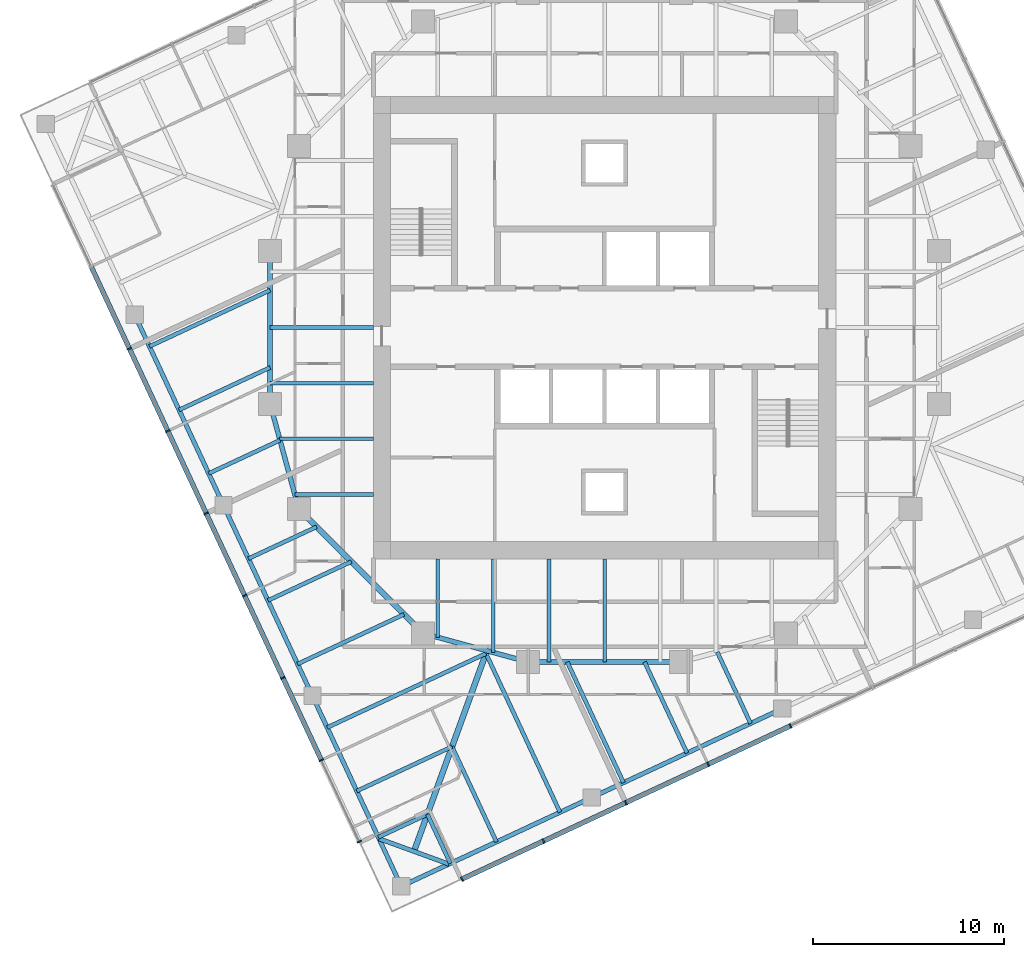
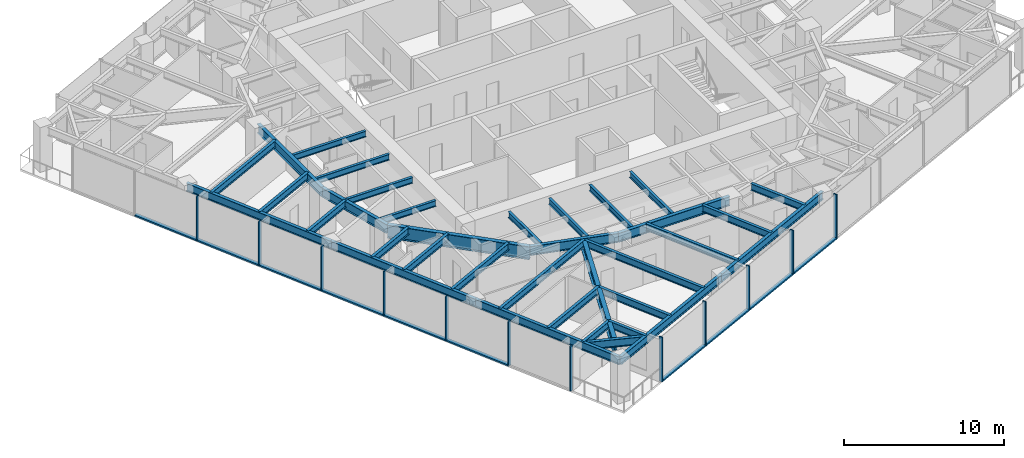
# One storey, part 2 of 12: 35 beams, 22 members, 2 elements without a shape of their own.
"""IFC4 building model written with IfcOpenShell, lengths in metres."""

from ifc_helpers import new_model, si_unit, direction, frame, origin, origin_2d, place, context, subcontext, project, spatial, rectangle, i_section, extrude, material, material_profile, profile_set, type_object, element, aggregate, save


model = new_model("IFC4")

# Units and contexts
model_context = context("Model", 3, precision=1e-05, world=origin(), true_north=direction((0.0, 1.0)))
body_context = subcontext(model_context, "Body", "Model", "MODEL_VIEW")
ifc_project = project(units=[si_unit("LENGTHUNIT", "METRE"), si_unit("AREAUNIT", "SQUARE_METRE"), si_unit("VOLUMEUNIT", "CUBIC_METRE"), si_unit("PLANEANGLEUNIT", "RADIAN"), si_unit("MASSUNIT", "GRAM", prefix="KILO")], contexts=[model_context])

# Site, building, storey
site_placement = place(None, origin())
site = spatial("IfcSite", under=ifc_project, at=site_placement, CompositionType="ELEMENT")
building_placement = place(site_placement, origin())
building = spatial("IfcBuilding", under=site, at=building_placement, Name="Torsade Residences", CompositionType="ELEMENT")
storey_placement = place(building_placement, frame((0.0, 0.0, 186.199951171875)))
storey = spatial("IfcBuildingStorey", under=building, at=storey_placement, Name="L51", CompositionType="ELEMENT", Elevation=186.199951171875)

# Beams
ifc_material_1 = material(Name="Steel grade 300", Category="steel")
ifc_material_profile_1 = material_profile(ifc_material_1, i_section(OverallWidth=0.300048828125, OverallDepth=0.89990234375, WebThickness=0.011962890625, FlangeThickness=0.02490234375, at=origin_2d()), Name="900WB175")
ifc_profile_set_1 = profile_set([ifc_material_profile_1], Name="Steel grade 300")
beam_type_1 = type_object("IfcBeamType", Name="CORNER GIRDER 900WB175", PredefinedType="BEAM", material=ifc_profile_set_1)
beam_1_placement = place(storey_placement, frame((30.02392578125, 2.5908203125, 2.800048828125), z_axis=(0.342015044723, 0.93969447651, 0.0), x_axis=(-0.93969447651, 0.342015044723, 0.0)))
element("IfcBeam", 1, at=beam_1_placement, inside=storey, type_object=beam_type_1, Name="Corner girder 01 L52", PredefinedType="BEAM", context=body_context, shape_type="SweptSolid", body=[
    extrude(i_section(OverallWidth=0.300048828125, OverallDepth=0.89990234375, WebThickness=0.011962890625, FlangeThickness=0.02490234375, at=origin_2d()), origin(), (0.0, 0.0, 1.0), 11.170654296875),
])
ifc_material_2 = material(Name="Steel grade 300", Category="steel")
ifc_material_profile_2 = material_profile(ifc_material_2, i_section(OverallWidth=0.22802734375, OverallDepth=0.60205078125, WebThickness=0.010498046875, FlangeThickness=0.014892578125, FilletRadius=0.013916015625, at=origin_2d()), Name="610UB101")
ifc_profile_set_2 = profile_set([ifc_material_profile_2], Name="Steel grade 300")
beam_type_2 = type_object("IfcBeamType", Name="CORNER TRIMMER 610UB101", PredefinedType="BEAM", material=ifc_profile_set_2)
beam_2_placement = place(storey_placement, frame((31.85107421875, 1.92578125, 2.948974609375), z_axis=(-0.939698076972, 0.342005152204, 0.0), x_axis=(-0.342005152204, -0.939698076972, 0.0)))
element("IfcBeam", 2, at=beam_2_placement, inside=storey, type_object=beam_type_2, Name="Corner trimmer 01 L52", PredefinedType="BEAM", context=body_context, shape_type="SweptSolid", body=[
    extrude(i_section(OverallWidth=0.22802734375, OverallDepth=0.60205078125, WebThickness=0.010498046875, FlangeThickness=0.014892578125, FilletRadius=0.013916015625, at=origin_2d()), origin(), (0.0, 0.0, 1.0), 3.88916015625),
])
ifc_material_3 = material(Name="Steel grade 300", Category="steel")
ifc_material_profile_3 = material_profile(ifc_material_3, i_section(OverallWidth=0.22900390625, OverallDepth=0.612060546875, WebThickness=0.011962890625, FlangeThickness=0.01953125, FilletRadius=0.013916015625, at=origin_2d()), Name="610UB125")
ifc_profile_set_3 = profile_set([ifc_material_profile_3], Name="Steel grade 300")
beam_type_3 = type_object("IfcBeamType", Name="EDGE BEAM 610UB125", PredefinedType="SPANDREL", material=ifc_profile_set_3)
beam_3_placement = place(storey_placement, frame((29.35888671875, 0.763671875, 2.944091796875), z_axis=(0.906309546032, 0.422614489543, 0.0), x_axis=(-0.422614489543, 0.906309546032, 0.0)))
element("IfcBeam", 3, at=beam_3_placement, inside=storey, type_object=beam_type_3, Name="Edge beam 01 L52", PredefinedType="SPANDREL", context=body_context, shape_type="SweptSolid", body=[
    extrude(i_section(OverallWidth=0.22900390625, OverallDepth=0.612060546875, WebThickness=0.011962890625, FlangeThickness=0.01953125, FilletRadius=0.013916015625, at=origin_2d()), origin(), (0.0, 0.0, 1.0), 10.999755859375),
])
for number, where, z_axis, x_axis, name in (
    (4, (39.328125, 5.412353515625, 2.944091796875), (0.906305009094, 0.422624219007, 0.0), (-0.422624219007, 0.906305009094, 0.0), "Edge beam 02 L52"),
    (5, (15.412353515625, 30.671875, 2.944091796875), (0.422624219007, -0.906305009094, 0.0), (0.906305009094, 0.422624219007, 0.0), "Edge beam 14 L52"),
):
    element("IfcBeam", number, at=place(storey_placement, frame(where, z_axis=z_axis, x_axis=x_axis)), inside=storey, type_object=beam_type_3, Name=name, PredefinedType="SPANDREL", context=body_context, shape_type="SweptSolid", body=[
        extrude(i_section(OverallWidth=0.22900390625, OverallDepth=0.612060546875, WebThickness=0.011962890625, FlangeThickness=0.01953125, FilletRadius=0.013916015625, at=origin_2d()), origin(), (0.0, 0.0, 1.0), 11.000244140625),
    ])
for number, where, z_axis, x_axis, name in (
    (6, (20.061279296875, 20.702392578125, 2.944091796875), (0.422605988587, -0.906313510001, 0.0), (0.906313510001, 0.422605988587, 0.0), "Edge beam 15 L52"),
    (7, (24.7099609375, 10.73291015625, 2.944091796875), (0.422632720171, -0.90630104482, 0.0), (0.90630104482, 0.422632720171, 0.0), "Edge beam 16 L52"),
):
    element("IfcBeam", number, at=place(storey_placement, frame(where, z_axis=z_axis, x_axis=x_axis)), inside=storey, type_object=beam_type_3, Name=name, PredefinedType="SPANDREL", context=body_context, shape_type="SweptSolid", body=[
        extrude(i_section(OverallWidth=0.22900390625, OverallDepth=0.612060546875, WebThickness=0.011962890625, FlangeThickness=0.01953125, FilletRadius=0.013916015625, at=origin_2d()), origin(), (0.0, 0.0, 1.0), 11.0),
    ])
ifc_material_4 = material(Name="Steel grade 300", Category="steel")
ifc_material_profile_4 = material_profile(ifc_material_4, i_section(OverallWidth=0.18994140625, OverallDepth=0.4541015625, WebThickness=0.008544921875, FlangeThickness=0.0126953125, FilletRadius=0.011474609375, at=origin_2d()), Name="460UB67.1")
ifc_profile_set_4 = profile_set([ifc_material_profile_4], Name="Steel grade 300")
beam_type_4 = type_object("IfcBeamType", Name="INNER FLOOR BEAM 460UB67.1", PredefinedType="JOIST", material=ifc_profile_set_4)
for number, where, z_axis, x_axis, name in (
    (8, (40.0, 17.89990234375, 3.02294921875), (0.0, -1.0, 0.0), (1.0, 0.0, 0.0), "Inner floor beam IS04 L52"),
    (9, (37.08740234375, 17.89990234375, 3.02294921875), (0.0, -1.0, 0.0), (1.0, 0.0, 0.0), "Inner floor beam IS05 L52"),
):
    element("IfcBeam", number, at=place(storey_placement, frame(where, z_axis=z_axis, x_axis=x_axis)), inside=storey, type_object=beam_type_4, Name=name, PredefinedType="JOIST", context=body_context, shape_type="SweptSolid", body=[
        extrude(i_section(OverallWidth=0.18994140625, OverallDepth=0.4541015625, WebThickness=0.008544921875, FlangeThickness=0.0126953125, FilletRadius=0.011474609375, at=origin_2d()), origin(), (0.0, 0.0, 1.0), 5.39990234375),
    ])
beam_4_placement = place(storey_placement, frame((34.175048828125, 17.89990234375, 3.02294921875), z_axis=(0.0, -1.0, 0.0), x_axis=(1.0, 0.0, 0.0)))
element("IfcBeam", 10, at=beam_4_placement, inside=storey, type_object=beam_type_4, Name="Inner floor beam IS06 L52", PredefinedType="JOIST", context=body_context, shape_type="SweptSolid", body=[
    extrude(i_section(OverallWidth=0.18994140625, OverallDepth=0.4541015625, WebThickness=0.008544921875, FlangeThickness=0.0126953125, FilletRadius=0.011474609375, at=origin_2d()), origin(), (0.0, 0.0, 1.0), 4.902099609375),
])
beam_5_placement = place(storey_placement, frame((31.262451171875, 17.89990234375, 3.02294921875), z_axis=(0.0, -1.0, 0.0), x_axis=(1.0, 0.0, 0.0)))
element("IfcBeam", 11, at=beam_5_placement, inside=storey, type_object=beam_type_4, Name="Inner floor beam IS07 L52", PredefinedType="JOIST", context=body_context, shape_type="SweptSolid", body=[
    extrude(i_section(OverallWidth=0.18994140625, OverallDepth=0.4541015625, WebThickness=0.008544921875, FlangeThickness=0.0126953125, FilletRadius=0.011474609375, at=origin_2d()), origin(), (0.0, 0.0, 1.0), 4.10791015625),
])
for number, where, z_axis, x_axis, name in (
    (12, (27.89990234375, 30.0, 3.02294921875), (-1.0, 0.0, 0.0), (0.0, -1.0, 0.0), "Inner floor beam IW04 L52"),
    (13, (27.89990234375, 27.08740234375, 3.02294921875), (-1.0, 0.0, 0.0), (0.0, -1.0, 0.0), "Inner floor beam IW05 L52"),
):
    element("IfcBeam", number, at=place(storey_placement, frame(where, z_axis=z_axis, x_axis=x_axis)), inside=storey, type_object=beam_type_4, Name=name, PredefinedType="JOIST", context=body_context, shape_type="SweptSolid", body=[
        extrude(i_section(OverallWidth=0.18994140625, OverallDepth=0.4541015625, WebThickness=0.008544921875, FlangeThickness=0.0126953125, FilletRadius=0.011474609375, at=origin_2d()), origin(), (0.0, 0.0, 1.0), 5.39990234375),
    ])
beam_6_placement = place(storey_placement, frame((27.89990234375, 24.175048828125, 3.02294921875), z_axis=(-1.0, 0.0, 0.0), x_axis=(0.0, -1.0, 0.0)))
element("IfcBeam", 14, at=beam_6_placement, inside=storey, type_object=beam_type_4, Name="Inner floor beam IW06 L52", PredefinedType="JOIST", context=body_context, shape_type="SweptSolid", body=[
    extrude(i_section(OverallWidth=0.18994140625, OverallDepth=0.4541015625, WebThickness=0.008544921875, FlangeThickness=0.0126953125, FilletRadius=0.011474609375, at=origin_2d()), origin(), (0.0, 0.0, 1.0), 4.902099609375),
])
beam_7_placement = place(storey_placement, frame((27.89990234375, 21.262451171875, 3.02294921875), z_axis=(-1.0, 0.0, 0.0), x_axis=(0.0, -1.0, 0.0)))
element("IfcBeam", 15, at=beam_7_placement, inside=storey, type_object=beam_type_4, Name="Inner floor beam IW07 L52", PredefinedType="JOIST", context=body_context, shape_type="SweptSolid", body=[
    extrude(i_section(OverallWidth=0.18994140625, OverallDepth=0.4541015625, WebThickness=0.008544921875, FlangeThickness=0.0126953125, FilletRadius=0.011474609375, at=origin_2d()), origin(), (0.0, 0.0, 1.0), 4.10791015625),
])

# Curtain wall, members
ifc_material_5 = material(Name="Aluminium and glass", Category="aluminium")
curtain_wall_type = type_object("IfcCurtainWallType", Name="FRITTED GLASS CURTAIN WALL MID ZONE", PredefinedType="NOTDEFINED", material=ifc_material_5)
curtain_wall_1_placement = place(storey_placement, origin())
curtain_wall_1 = element("IfcCurtainWall", 16, at=curtain_wall_1_placement, inside=storey, type_object=curtain_wall_type, Name="Curtain wall L51 face 1", PredefinedType="NOTDEFINED")
ifc_material_6 = material(Name="Aluminium mullion", Category="aluminium")
ifc_material_profile_5 = material_profile(ifc_material_6, rectangle(XDim=0.25, YDim=0.080078125, at=origin_2d()), Name="MID ZONE CURTAIN WALL MULLION 250x80")
ifc_profile_set_5 = profile_set([ifc_material_profile_5], Name="Aluminium mullion")
member_type_1 = type_object("IfcMemberType", Name="MID ZONE CURTAIN WALL MULLION 250x80", PredefinedType="MULLION", material=ifc_profile_set_5)
member_1_placement = place(storey_placement, frame((32.53662109375, 1.14208984375, 0.0), z_axis=(0.0, 0.0, 1.0), x_axis=(-0.422618261978, 0.906307786926, 0.0)))
member_1 = element("IfcMember", 17, at=member_1_placement, type_object=member_type_1, Name="Mullion 1", PredefinedType="MULLION", context=body_context, shape_type="SweptSolid", body=[
    extrude(rectangle(XDim=0.25, YDim=0.080078125, at=origin_2d()), origin(), (0.0, 0.0, 1.0), 3.400146484375),
])
member_2_placement = place(storey_placement, frame((36.805419921875, 3.132568359375, 0.0), z_axis=(0.0, 0.0, 1.0), x_axis=(-0.422618261978, 0.906307786926, 0.0)))
member_2 = element("IfcMember", 18, at=member_2_placement, type_object=member_type_1, Name="Mullion 2", PredefinedType="MULLION", context=body_context, shape_type="SweptSolid", body=[
    extrude(rectangle(XDim=0.25, YDim=0.080078125, at=origin_2d()), origin(), (0.0, 0.0, 1.0), 3.400146484375),
])
member_3_placement = place(storey_placement, frame((41.1103515625, 5.14013671875, 0.0), z_axis=(0.0, 0.0, 1.0), x_axis=(-0.422618261978, 0.906307786926, 0.0)))
member_3 = element("IfcMember", 19, at=member_3_placement, type_object=member_type_1, Name="Mullion 3", PredefinedType="MULLION", context=body_context, shape_type="SweptSolid", body=[
    extrude(rectangle(XDim=0.25, YDim=0.080078125, at=origin_2d()), origin(), (0.0, 0.0, 1.0), 3.400146484375),
])
member_4_placement = place(storey_placement, frame((45.415283203125, 7.1474609375, 0.0), z_axis=(0.0, 0.0, 1.0), x_axis=(-0.422618261978, 0.906307786926, 0.0)))
member_4 = element("IfcMember", 20, at=member_4_placement, type_object=member_type_1, Name="Mullion 4", PredefinedType="MULLION", context=body_context, shape_type="SweptSolid", body=[
    extrude(rectangle(XDim=0.25, YDim=0.080078125, at=origin_2d()), origin(), (0.0, 0.0, 1.0), 3.400146484375),
])
member_5_placement = place(storey_placement, frame((49.72021484375, 9.155029296875, 0.0), z_axis=(0.0, 0.0, 1.0), x_axis=(-0.422618261978, 0.906307786926, 0.0)))
member_5 = element("IfcMember", 21, at=member_5_placement, type_object=member_type_1, Name="Mullion 5", PredefinedType="MULLION", context=body_context, shape_type="SweptSolid", body=[
    extrude(rectangle(XDim=0.25, YDim=0.080078125, at=origin_2d()), origin(), (0.0, 0.0, 1.0), 3.400146484375),
])

curtain_wall_2_placement = place(storey_placement, origin())
curtain_wall_2 = element("IfcCurtainWall", 22, at=curtain_wall_2_placement, inside=storey, type_object=curtain_wall_type, Name="Curtain wall L51 face 10", PredefinedType="NOTDEFINED")
member_6_placement = place(storey_placement, frame((15.14013671875, 28.8896484375, 0.0), z_axis=(0.0, 0.0, 1.0), x_axis=(0.906307786926, 0.422618261978, 0.0)))
member_6 = element("IfcMember", 23, at=member_6_placement, type_object=member_type_1, Name="Mullion 3", PredefinedType="MULLION", context=body_context, shape_type="SweptSolid", body=[
    extrude(rectangle(XDim=0.25, YDim=0.080078125, at=origin_2d()), origin(), (0.0, 0.0, 1.0), 3.400146484375),
])
member_7_placement = place(storey_placement, frame((17.1474609375, 24.584716796875, 0.0), z_axis=(0.0, 0.0, 1.0), x_axis=(0.906307786926, 0.422618261978, 0.0)))
member_7 = element("IfcMember", 24, at=member_7_placement, type_object=member_type_1, Name="Mullion 4", PredefinedType="MULLION", context=body_context, shape_type="SweptSolid", body=[
    extrude(rectangle(XDim=0.25, YDim=0.080078125, at=origin_2d()), origin(), (0.0, 0.0, 1.0), 3.400146484375),
])
member_8_placement = place(storey_placement, frame((19.155029296875, 20.27978515625, 0.0), z_axis=(0.0, 0.0, 1.0), x_axis=(0.906307786926, 0.422618261978, 0.0)))
member_8 = element("IfcMember", 25, at=member_8_placement, type_object=member_type_1, Name="Mullion 5", PredefinedType="MULLION", context=body_context, shape_type="SweptSolid", body=[
    extrude(rectangle(XDim=0.25, YDim=0.080078125, at=origin_2d()), origin(), (0.0, 0.0, 1.0), 3.400146484375),
])
member_9_placement = place(storey_placement, frame((21.162353515625, 15.974853515625, 0.0), z_axis=(0.0, 0.0, 1.0), x_axis=(0.906307786926, 0.422618261978, 0.0)))
member_9 = element("IfcMember", 26, at=member_9_placement, type_object=member_type_1, Name="Mullion 6", PredefinedType="MULLION", context=body_context, shape_type="SweptSolid", body=[
    extrude(rectangle(XDim=0.25, YDim=0.080078125, at=origin_2d()), origin(), (0.0, 0.0, 1.0), 3.400146484375),
])
member_10_placement = place(storey_placement, frame((23.169677734375, 11.669921875, 0.0), z_axis=(0.0, 0.0, 1.0), x_axis=(0.906307786926, 0.422618261978, 0.0)))
member_10 = element("IfcMember", 27, at=member_10_placement, type_object=member_type_1, Name="Mullion 7", PredefinedType="MULLION", context=body_context, shape_type="SweptSolid", body=[
    extrude(rectangle(XDim=0.25, YDim=0.080078125, at=origin_2d()), origin(), (0.0, 0.0, 1.0), 3.400146484375),
])
member_11_placement = place(storey_placement, frame((25.17724609375, 7.364990234375, 0.0), z_axis=(0.0, 0.0, 1.0), x_axis=(0.906307786926, 0.422618261978, 0.0)))
member_11 = element("IfcMember", 28, at=member_11_placement, type_object=member_type_1, Name="Mullion 8", PredefinedType="MULLION", context=body_context, shape_type="SweptSolid", body=[
    extrude(rectangle(XDim=0.25, YDim=0.080078125, at=origin_2d()), origin(), (0.0, 0.0, 1.0), 3.400146484375),
])
member_12_placement = place(storey_placement, frame((27.167724609375, 3.09619140625, 0.0), z_axis=(0.0, 0.0, 1.0), x_axis=(0.906307786926, 0.422618261978, 0.0)))
member_12 = element("IfcMember", 29, at=member_12_placement, type_object=member_type_1, Name="Mullion 9", PredefinedType="MULLION", context=body_context, shape_type="SweptSolid", body=[
    extrude(rectangle(XDim=0.25, YDim=0.080078125, at=origin_2d()), origin(), (0.0, 0.0, 1.0), 3.400146484375),
])

# Member
ifc_material_7 = material(Name="Aluminium transom", Category="aluminium")
ifc_material_profile_6 = material_profile(ifc_material_7, rectangle(XDim=0.25, YDim=0.110107421875, at=origin_2d()), Name="MID ZONE CURTAIN WALL TRANSOM 250x110")
ifc_profile_set_6 = profile_set([ifc_material_profile_6], Name="Aluminium transom")
member_type_2 = type_object("IfcMemberType", Name="MID ZONE CURTAIN WALL TRANSOM 250x110", PredefinedType="USERDEFINED", material=ifc_profile_set_6)
member_13_placement = place(storey_placement, frame((32.572998046875, 1.158935546875, 0.054931640625), z_axis=(0.906296268578, 0.422642962277, 0.0), x_axis=(-0.422642962277, 0.906296268578, 0.0)))
member_13 = element("IfcMember", 30, at=member_13_placement, type_object=member_type_2, Name="Transom 1.1", ObjectType="TRANSOM", PredefinedType="USERDEFINED", context=body_context, shape_type="SweptSolid", body=[
    extrude(rectangle(XDim=0.25, YDim=0.110107421875, at=origin_2d()), origin(), (0.0, 0.0, 1.0), 4.6298828125),
])

member_14_placement = place(storey_placement, frame((36.841552734375, 3.1494140625, 0.054931640625), z_axis=(0.906305976097, 0.422622145291, 0.0), x_axis=(-0.422622145291, 0.906305976097, 0.0)))
member_14 = element("IfcMember", 31, at=member_14_placement, type_object=member_type_2, Name="Transom 2.1", ObjectType="TRANSOM", PredefinedType="USERDEFINED", context=body_context, shape_type="SweptSolid", body=[
    extrude(rectangle(XDim=0.25, YDim=0.110107421875, at=origin_2d()), origin(), (0.0, 0.0, 1.0), 4.669921875),
])

member_15_placement = place(storey_placement, frame((41.146484375, 5.156982421875, 0.054931640625), z_axis=(0.906305976097, 0.422622145291, 0.0), x_axis=(-0.422622145291, 0.906305976097, 0.0)))
member_15 = element("IfcMember", 32, at=member_15_placement, type_object=member_type_2, Name="Transom 3.1", ObjectType="TRANSOM", PredefinedType="USERDEFINED", context=body_context, shape_type="SweptSolid", body=[
    extrude(rectangle(XDim=0.25, YDim=0.110107421875, at=origin_2d()), origin(), (0.0, 0.0, 1.0), 4.669921875),
])

member_16_placement = place(storey_placement, frame((45.451416015625, 7.164306640625, 0.054931640625), z_axis=(0.90631531293, 0.422602122035, 0.0), x_axis=(-0.422602122035, 0.90631531293, 0.0)))
member_16 = element("IfcMember", 33, at=member_16_placement, type_object=member_type_2, Name="Transom 4.1", ObjectType="TRANSOM", PredefinedType="USERDEFINED", context=body_context, shape_type="SweptSolid", body=[
    extrude(rectangle(XDim=0.25, YDim=0.110107421875, at=origin_2d()), origin(), (0.0, 0.0, 1.0), 4.670166015625),
])

aggregate(curtain_wall_1, [member_1, member_2, member_3, member_4, member_5, member_13, member_14, member_15, member_16])

member_17_placement = place(storey_placement, frame((13.1494140625, 33.158447265625, 0.054931640625), z_axis=(0.422622145291, -0.906305976097, 0.0), x_axis=(0.906305976097, 0.422622145291, 0.0)))
member_17 = element("IfcMember", 34, at=member_17_placement, type_object=member_type_2, Name="Transom 2.1", ObjectType="TRANSOM", PredefinedType="USERDEFINED", context=body_context, shape_type="SweptSolid", body=[
    extrude(rectangle(XDim=0.25, YDim=0.110107421875, at=origin_2d()), origin(), (0.0, 0.0, 1.0), 4.669921875),
])

member_18_placement = place(storey_placement, frame((15.156982421875, 28.853515625, 0.054931640625), z_axis=(0.422622145291, -0.906305976097, 0.0), x_axis=(0.906305976097, 0.422622145291, 0.0)))
member_18 = element("IfcMember", 35, at=member_18_placement, type_object=member_type_2, Name="Transom 3.1", ObjectType="TRANSOM", PredefinedType="USERDEFINED", context=body_context, shape_type="SweptSolid", body=[
    extrude(rectangle(XDim=0.25, YDim=0.110107421875, at=origin_2d()), origin(), (0.0, 0.0, 1.0), 4.669921875),
])

member_19_placement = place(storey_placement, frame((17.164306640625, 24.548583984375, 0.054931640625), z_axis=(0.422602122035, -0.90631531293, 0.0), x_axis=(0.90631531293, 0.422602122035, 0.0)))
member_19 = element("IfcMember", 36, at=member_19_placement, type_object=member_type_2, Name="Transom 4.1", ObjectType="TRANSOM", PredefinedType="USERDEFINED", context=body_context, shape_type="SweptSolid", body=[
    extrude(rectangle(XDim=0.25, YDim=0.110107421875, at=origin_2d()), origin(), (0.0, 0.0, 1.0), 4.670166015625),
])

member_20_placement = place(storey_placement, frame((19.171875, 20.243408203125, 0.054931640625), z_axis=(0.422622145291, -0.906305976097, 0.0), x_axis=(0.906305976097, 0.422622145291, 0.0)))
member_20 = element("IfcMember", 37, at=member_20_placement, type_object=member_type_2, Name="Transom 5.1", ObjectType="TRANSOM", PredefinedType="USERDEFINED", context=body_context, shape_type="SweptSolid", body=[
    extrude(rectangle(XDim=0.25, YDim=0.110107421875, at=origin_2d()), origin(), (0.0, 0.0, 1.0), 4.669921875),
])

member_21_placement = place(storey_placement, frame((21.17919921875, 15.9384765625, 0.054931640625), z_axis=(0.422622145291, -0.906305976097, 0.0), x_axis=(0.906305976097, 0.422622145291, 0.0)))
member_21 = element("IfcMember", 38, at=member_21_placement, type_object=member_type_2, Name="Transom 6.1", ObjectType="TRANSOM", PredefinedType="USERDEFINED", context=body_context, shape_type="SweptSolid", body=[
    extrude(rectangle(XDim=0.25, YDim=0.110107421875, at=origin_2d()), origin(), (0.0, 0.0, 1.0), 4.669921875),
])

member_22_placement = place(storey_placement, frame((23.186767578125, 11.633544921875, 0.054931640625), z_axis=(0.422622145291, -0.906305976097, 0.0), x_axis=(0.906305976097, 0.422622145291, 0.0)))
member_22 = element("IfcMember", 39, at=member_22_placement, type_object=member_type_2, Name="Transom 7.1", ObjectType="TRANSOM", PredefinedType="USERDEFINED", context=body_context, shape_type="SweptSolid", body=[
    extrude(rectangle(XDim=0.25, YDim=0.110107421875, at=origin_2d()), origin(), (0.0, 0.0, 1.0), 4.669921875),
])

aggregate(curtain_wall_2, [member_6, member_7, member_8, member_9, member_10, member_11, member_12, member_17, member_18, member_19, member_20, member_21, member_22])

# Beams
ifc_material_8 = material(Name="Steel grade 300", Category="steel")
ifc_material_profile_7 = material_profile(ifc_material_8, i_section(OverallWidth=0.300048828125, OverallDepth=1.0, WebThickness=0.01611328125, FlangeThickness=0.028076171875, at=origin_2d()), Name="1000WB215")
ifc_profile_set_7 = profile_set([ifc_material_profile_7], Name="Steel grade 300")
beam_type_5 = type_object("IfcBeamType", Name="RING CORNER GIRDER 1000WB215", PredefinedType="BEAM", material=ifc_profile_set_7)
beam_8_placement = place(storey_placement, frame((24.0, 20.5, 2.75), z_axis=(0.707106781187, -0.707106781187, 0.0), x_axis=(0.707106781187, 0.707106781187, 0.0)))
element("IfcBeam", 40, at=beam_8_placement, inside=storey, type_object=beam_type_5, Name="Ring girder IR11 L52", PredefinedType="BEAM", context=body_context, shape_type="SweptSolid", body=[
    extrude(i_section(OverallWidth=0.300048828125, OverallDepth=1.0, WebThickness=0.01611328125, FlangeThickness=0.028076171875, at=origin_2d()), origin(), (0.0, 0.0, 1.0), 9.1923828125),
])
ifc_material_9 = material(Name="Steel grade 300", Category="steel")
ifc_material_profile_8 = material_profile(ifc_material_9, i_section(OverallWidth=0.25, OverallDepth=0.699951171875, WebThickness=0.010009765625, FlangeThickness=0.02001953125, at=origin_2d()), Name="700WB130")
ifc_profile_set_8 = profile_set([ifc_material_profile_8], Name="Steel grade 300")
beam_type_6 = type_object("IfcBeamType", Name="RING GIRDER 700WB130", PredefinedType="BEAM", material=ifc_profile_set_8)
beam_9_placement = place(storey_placement, frame((22.5, 34.0, 2.900146484375), z_axis=(0.0, -1.0, 0.0), x_axis=(1.0, 0.0, 0.0)))
element("IfcBeam", 41, at=beam_9_placement, inside=storey, type_object=beam_type_6, Name="Ring girder IR09 L52", PredefinedType="BEAM", context=body_context, shape_type="SweptSolid", body=[
    extrude(i_section(OverallWidth=0.25, OverallDepth=0.699951171875, WebThickness=0.010009765625, FlangeThickness=0.02001953125, at=origin_2d()), origin(), (0.0, 0.0, 1.0), 8.0),
])
for number, where, z_axis, x_axis, name in (
    (42, (22.5, 26.0, 2.900146484375), (0.263117405792, -0.964763821238, 0.0), (0.964763821238, 0.263117405792, 0.0), "Ring girder IR10 L52"),
    (43, (30.5, 14.0, 2.900146484375), (0.964763821238, -0.263117405792, 0.0), (0.263117405792, 0.964763821238, 0.0), "Ring girder IR12 L52"),
):
    element("IfcBeam", number, at=place(storey_placement, frame(where, z_axis=z_axis, x_axis=x_axis)), inside=storey, type_object=beam_type_6, Name=name, PredefinedType="BEAM", context=body_context, shape_type="SweptSolid", body=[
        extrude(i_section(OverallWidth=0.25, OverallDepth=0.699951171875, WebThickness=0.010009765625, FlangeThickness=0.02001953125, at=origin_2d()), origin(), (0.0, 0.0, 1.0), 5.700927734375),
    ])
beam_10_placement = place(storey_placement, frame((36.0, 12.5, 2.900146484375), z_axis=(1.0, 0.0, 0.0), x_axis=(0.0, 1.0, 0.0)))
element("IfcBeam", 44, at=beam_10_placement, inside=storey, type_object=beam_type_6, Name="Ring girder IR13 L52", PredefinedType="BEAM", context=body_context, shape_type="SweptSolid", body=[
    extrude(i_section(OverallWidth=0.25, OverallDepth=0.699951171875, WebThickness=0.010009765625, FlangeThickness=0.02001953125, at=origin_2d()), origin(), (0.0, 0.0, 1.0), 8.0),
])
ifc_material_10 = material(Name="Steel grade 300", Category="steel")
ifc_material_profile_9 = material_profile(ifc_material_10, i_section(OverallWidth=0.208984375, OverallDepth=0.528076171875, WebThickness=0.009521484375, FlangeThickness=0.01318359375, FilletRadius=0.013916015625, at=origin_2d()), Name="530UB82.0")
ifc_profile_set_9 = profile_set([ifc_material_profile_9], Name="Steel grade 300")
beam_type_7 = type_object("IfcBeamType", Name="SECONDARY BEAM 530UB82.0", PredefinedType="JOIST", material=ifc_profile_set_9)
beam_11_placement = place(storey_placement, frame((31.9267578125, 1.9609375, 2.986083984375), z_axis=(-0.422644877104, 0.906295375613, 0.0), x_axis=(-0.906295375613, -0.422644877104, 0.0)))
element("IfcBeam", 45, at=beam_11_placement, inside=storey, type_object=beam_type_7, Name="Floor beam FS01 L52", PredefinedType="JOIST", context=body_context, shape_type="SweptSolid", body=[
    extrude(i_section(OverallWidth=0.208984375, OverallDepth=0.528076171875, WebThickness=0.009521484375, FlangeThickness=0.01318359375, FilletRadius=0.013916015625, at=origin_2d()), origin(), (0.0, 0.0, 1.0), 2.833251953125),
])
beam_12_placement = place(storey_placement, frame((34.343505859375, 3.088134765625, 2.986083984375), z_axis=(-0.422632720171, 0.90630104482, 0.0), x_axis=(-0.90630104482, -0.422632720171, 0.0)))
element("IfcBeam", 46, at=beam_12_placement, inside=storey, type_object=beam_type_7, Name="Floor beam FS02 L52", PredefinedType="JOIST", context=body_context, shape_type="SweptSolid", body=[
    extrude(i_section(OverallWidth=0.208984375, OverallDepth=0.528076171875, WebThickness=0.009521484375, FlangeThickness=0.01318359375, FilletRadius=0.013916015625, at=origin_2d()), origin(), (0.0, 0.0, 1.0), 5.5),
])
beam_13_placement = place(storey_placement, frame((37.666748046875, 4.6376953125, 2.986083984375), z_axis=(-0.422618627092, 0.90630761667, 0.0), x_axis=(-0.90630761667, -0.422618627092, 0.0)))
element("IfcBeam", 47, at=beam_13_placement, inside=storey, type_object=beam_type_7, Name="Floor beam FS03 L52", PredefinedType="JOIST", context=body_context, shape_type="SweptSolid", body=[
    extrude(i_section(OverallWidth=0.208984375, OverallDepth=0.528076171875, WebThickness=0.009521484375, FlangeThickness=0.01318359375, FilletRadius=0.013916015625, at=origin_2d()), origin(), (0.0, 0.0, 1.0), 9.166748046875),
])
beam_14_placement = place(storey_placement, frame((40.98974609375, 6.187255859375, 2.986083984375), z_axis=(-0.422609131726, 0.906312044376, 0.0), x_axis=(-0.906312044376, -0.422609131726, 0.0)))
element("IfcBeam", 48, at=beam_14_placement, inside=storey, type_object=beam_type_7, Name="Floor beam FS04 L52", PredefinedType="JOIST", context=body_context, shape_type="SweptSolid", body=[
    extrude(i_section(OverallWidth=0.208984375, OverallDepth=0.528076171875, WebThickness=0.009521484375, FlangeThickness=0.01318359375, FilletRadius=0.013916015625, at=origin_2d()), origin(), (0.0, 0.0, 1.0), 6.96533203125),
])
beam_15_placement = place(storey_placement, frame((44.31298828125, 7.73681640625, 2.986083984375), z_axis=(-0.422631142882, 0.90630178035, 0.0), x_axis=(-0.90630178035, -0.422631142882, 0.0)))
element("IfcBeam", 49, at=beam_15_placement, inside=storey, type_object=beam_type_7, Name="Floor beam FS05 L52", PredefinedType="JOIST", context=body_context, shape_type="SweptSolid", body=[
    extrude(i_section(OverallWidth=0.208984375, OverallDepth=0.528076171875, WebThickness=0.009521484375, FlangeThickness=0.01318359375, FilletRadius=0.013916015625, at=origin_2d()), origin(), (0.0, 0.0, 1.0), 5.255615234375),
])
beam_16_placement = place(storey_placement, frame((47.635986328125, 9.286376953125, 2.986083984375), z_axis=(-0.422635442612, 0.906299775267, 0.0), x_axis=(-0.906299775267, -0.422635442612, 0.0)))
element("IfcBeam", 50, at=beam_16_placement, inside=storey, type_object=beam_type_7, Name="Floor beam FS06 L52", PredefinedType="JOIST", context=body_context, shape_type="SweptSolid", body=[
    extrude(i_section(OverallWidth=0.208984375, OverallDepth=0.528076171875, WebThickness=0.009521484375, FlangeThickness=0.01318359375, FilletRadius=0.013916015625, at=origin_2d()), origin(), (0.0, 0.0, 1.0), 4.116455078125),
])
beam_17_placement = place(storey_placement, frame((16.187255859375, 29.01025390625, 2.986083984375), z_axis=(0.906312044376, 0.422609131726, 0.0), x_axis=(-0.422609131726, 0.906312044376, 0.0)))
element("IfcBeam", 51, at=beam_17_placement, inside=storey, type_object=beam_type_7, Name="Floor beam FW04 L52", PredefinedType="JOIST", context=body_context, shape_type="SweptSolid", body=[
    extrude(i_section(OverallWidth=0.208984375, OverallDepth=0.528076171875, WebThickness=0.009521484375, FlangeThickness=0.01318359375, FilletRadius=0.013916015625, at=origin_2d()), origin(), (0.0, 0.0, 1.0), 6.96533203125),
])
beam_18_placement = place(storey_placement, frame((17.73681640625, 25.68701171875, 2.986083984375), z_axis=(0.90630178035, 0.422631142882, 0.0), x_axis=(-0.422631142882, 0.90630178035, 0.0)))
element("IfcBeam", 52, at=beam_18_placement, inside=storey, type_object=beam_type_7, Name="Floor beam FW05 L52", PredefinedType="JOIST", context=body_context, shape_type="SweptSolid", body=[
    extrude(i_section(OverallWidth=0.208984375, OverallDepth=0.528076171875, WebThickness=0.009521484375, FlangeThickness=0.01318359375, FilletRadius=0.013916015625, at=origin_2d()), origin(), (0.0, 0.0, 1.0), 5.255615234375),
])
beam_19_placement = place(storey_placement, frame((19.286376953125, 22.364013671875, 2.986083984375), z_axis=(0.906299775267, 0.422635442612, 0.0), x_axis=(-0.422635442612, 0.906299775267, 0.0)))
element("IfcBeam", 53, at=beam_19_placement, inside=storey, type_object=beam_type_7, Name="Floor beam FW06 L52", PredefinedType="JOIST", context=body_context, shape_type="SweptSolid", body=[
    extrude(i_section(OverallWidth=0.208984375, OverallDepth=0.528076171875, WebThickness=0.009521484375, FlangeThickness=0.01318359375, FilletRadius=0.013916015625, at=origin_2d()), origin(), (0.0, 0.0, 1.0), 4.116455078125),
])
beam_20_placement = place(storey_placement, frame((21.3642578125, 17.907958984375, 2.986083984375), z_axis=(0.906295680735, 0.422644222818, 0.0), x_axis=(-0.422644222818, 0.906295680735, 0.0)))
element("IfcBeam", 54, at=beam_20_placement, inside=storey, type_object=beam_type_7, Name="Floor beam FW07 L52", PredefinedType="JOIST", context=body_context, shape_type="SweptSolid", body=[
    extrude(i_section(OverallWidth=0.208984375, OverallDepth=0.528076171875, WebThickness=0.009521484375, FlangeThickness=0.01318359375, FilletRadius=0.013916015625, at=origin_2d()), origin(), (0.0, 0.0, 1.0), 3.933837890625),
])
beam_21_placement = place(storey_placement, frame((22.3857421875, 15.7177734375, 2.986083984375), z_axis=(0.906307500203, 0.422618876857, 0.0), x_axis=(-0.422618876857, 0.906307500203, 0.0)))
element("IfcBeam", 55, at=beam_21_placement, inside=storey, type_object=beam_type_7, Name="Floor beam FW08 L52", PredefinedType="JOIST", context=body_context, shape_type="SweptSolid", body=[
    extrude(i_section(OverallWidth=0.208984375, OverallDepth=0.528076171875, WebThickness=0.009521484375, FlangeThickness=0.01318359375, FilletRadius=0.013916015625, at=origin_2d()), origin(), (0.0, 0.0, 1.0), 4.813232421875),
])
beam_22_placement = place(storey_placement, frame((23.935302734375, 12.39453125, 2.986083984375), z_axis=(0.906293692233, 0.42264848683, 0.0), x_axis=(-0.42264848683, 0.906293692233, 0.0)))
element("IfcBeam", 56, at=beam_22_placement, inside=storey, type_object=beam_type_7, Name="Floor beam FW09 L52", PredefinedType="JOIST", context=body_context, shape_type="SweptSolid", body=[
    extrude(i_section(OverallWidth=0.208984375, OverallDepth=0.528076171875, WebThickness=0.009521484375, FlangeThickness=0.01318359375, FilletRadius=0.013916015625, at=origin_2d()), origin(), (0.0, 0.0, 1.0), 6.14794921875),
])
beam_23_placement = place(storey_placement, frame((25.48486328125, 9.071533203125, 2.986083984375), z_axis=(0.90630761667, 0.422618627092, 0.0), x_axis=(-0.422618627092, 0.90630761667, 0.0)))
element("IfcBeam", 57, at=beam_23_placement, inside=storey, type_object=beam_type_7, Name="Floor beam FW10 L52", PredefinedType="JOIST", context=body_context, shape_type="SweptSolid", body=[
    extrude(i_section(OverallWidth=0.208984375, OverallDepth=0.528076171875, WebThickness=0.009521484375, FlangeThickness=0.01318359375, FilletRadius=0.013916015625, at=origin_2d()), origin(), (0.0, 0.0, 1.0), 9.166748046875),
])
beam_24_placement = place(storey_placement, frame((27.034423828125, 5.748291015625, 2.986083984375), z_axis=(0.90630104482, 0.422632720171, 0.0), x_axis=(-0.422632720171, 0.90630104482, 0.0)))
element("IfcBeam", 58, at=beam_24_placement, inside=storey, type_object=beam_type_7, Name="Floor beam FW11 L52", PredefinedType="JOIST", context=body_context, shape_type="SweptSolid", body=[
    extrude(i_section(OverallWidth=0.208984375, OverallDepth=0.528076171875, WebThickness=0.009521484375, FlangeThickness=0.01318359375, FilletRadius=0.013916015625, at=origin_2d()), origin(), (0.0, 0.0, 1.0), 5.5),
])
beam_25_placement = place(storey_placement, frame((28.161376953125, 3.33154296875, 2.986083984375), z_axis=(0.906328379221, 0.42257409885, 0.0), x_axis=(-0.42257409885, 0.906328379221, 0.0)))
element("IfcBeam", 59, at=beam_25_placement, inside=storey, type_object=beam_type_7, Name="Floor beam FW12 L52", PredefinedType="JOIST", context=body_context, shape_type="SweptSolid", body=[
    extrude(i_section(OverallWidth=0.208984375, OverallDepth=0.528076171875, WebThickness=0.009521484375, FlangeThickness=0.01318359375, FilletRadius=0.013916015625, at=origin_2d()), origin(), (0.0, 0.0, 1.0), 2.833251953125),
])

save(model, "model.ifc")
